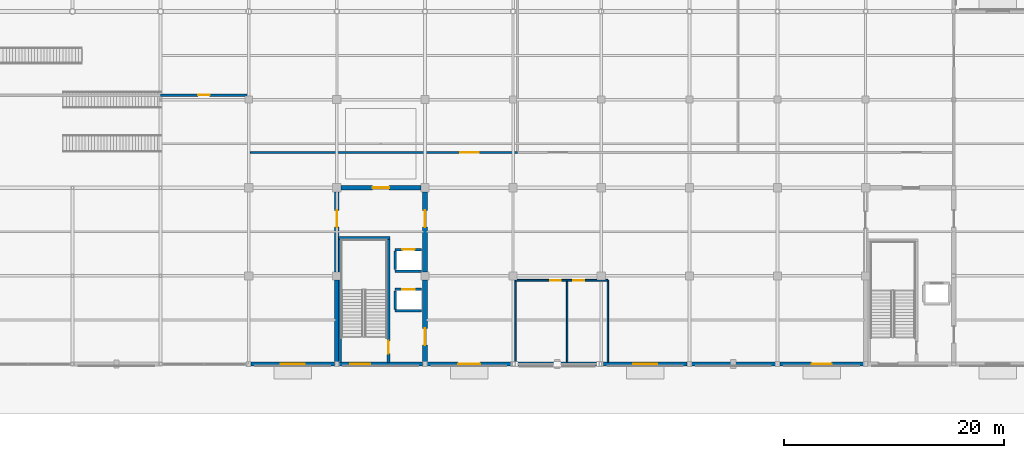
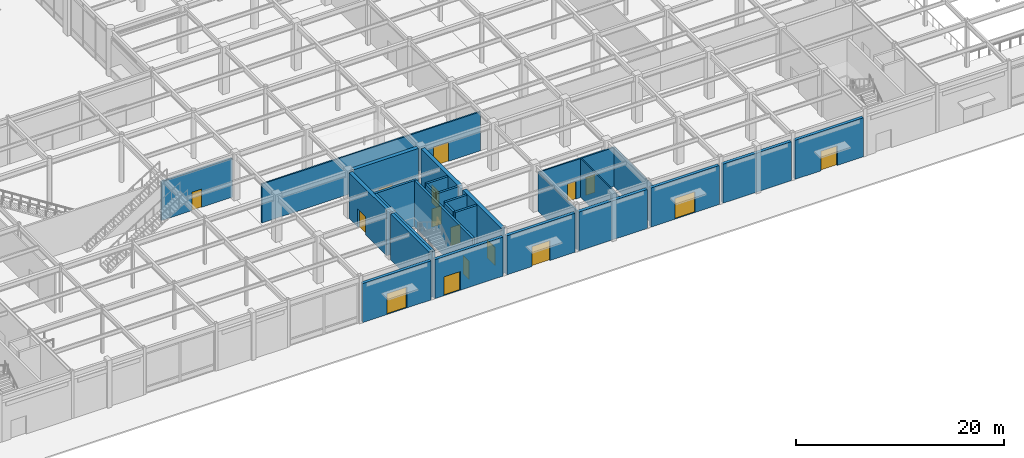
# One storey, part 102 of 128: 28 walls, 16 doors, 16 openings.
"""IFC4 building model written with IfcOpenShell, lengths in metres."""

import ifcopenshell
import ifcopenshell.guid

model = None  # the IFC model being written
_history = None  # IfcOwnerHistory: only IFC2X3 demands one
_inside = {}  # id of a spatial element -> (the spatial element, [elements in it])
_under = {}  # id of a project, library or spatial element -> (it, [spatial elements below it])
_declared = {}  # id of a project -> (the project, [libraries it declares])
_typed = {}  # id of a type object -> (the type object, [elements of that type])
_made_of = {}  # id of a material, layer set ... -> (it, [elements and type objects made of it])


def new_model(schema):
    """Start an empty IFC model of exactly this schema.

    Asked for "IFC4X3", IfcOpenShell would pick the latest addendum, in which some entities
    have other attributes; the version numbers below select the first issue.
    IFC2X3 requires an IfcOwnerHistory on every rooted entity: one is made here for all.
    """
    global model, _history
    if schema == "IFC4X3":
        model = ifcopenshell.file(schema_version=(4, 3, 0, 0))
    else:
        model = ifcopenshell.file(schema=schema)
    _inside.clear()
    _under.clear()
    _declared.clear()
    _typed.clear()
    _made_of.clear()
    _history = None
    if model.schema == "IFC2X3":
        org = make("IfcOrganization", Name="unknown")
        user = make(
            "IfcPersonAndOrganization",
            ThePerson=make("IfcPerson", FamilyName="unknown"),
            TheOrganization=org,
        )
        app = make(
            "IfcApplication",
            ApplicationDeveloper=org,
            Version="unknown",
            ApplicationFullName="unknown",
            ApplicationIdentifier="unknown",
        )
        _history = make(
            "IfcOwnerHistory",
            OwningUser=user,
            OwningApplication=app,
            ChangeAction="ADDED",
            CreationDate=0,
        )
    return model


def make(cls, **values):
    """One entity of the class cls with the attributes given. An attribute that is None is left unset."""
    return model.create_entity(
        cls, **{name: value for name, value in values.items() if value is not None}
    )


def rooted(cls, **values):
    """An entity with a GlobalId (a new one), such as an element, a storey or a relation."""
    return make(cls, GlobalId=ifcopenshell.guid.new(), OwnerHistory=_history, **values)


def si_unit(unit_type, name, prefix=None):
    """IfcSIUnit, for example si_unit("LENGTHUNIT", "METRE", prefix="MILLI")."""
    return make("IfcSIUnit", UnitType=unit_type, Prefix=prefix, Name=name)


def assignment(units):
    """IfcUnitAssignment: the units of a project."""
    return None if units is None else make("IfcUnitAssignment", Units=units)


def point(xyz):
    """IfcCartesianPoint."""
    return None if xyz is None else make("IfcCartesianPoint", Coordinates=xyz)


def direction(xyz):
    """IfcDirection."""
    return None if xyz is None else make("IfcDirection", DirectionRatios=xyz)


def frame(location, z_axis=None, x_axis=None):
    """IfcAxis2Placement3D, a coordinate frame: its origin and axes. An axis left out is left unset."""
    return make(
        "IfcAxis2Placement3D",
        Location=point(location),
        Axis=direction(z_axis),
        RefDirection=direction(x_axis),
    )


def frame_2d(location, x_axis=None):
    """IfcAxis2Placement2D, a coordinate frame in the plane: its origin and x axis."""
    return make(
        "IfcAxis2Placement2D", Location=point(location), RefDirection=direction(x_axis)
    )


def origin():
    """The frame at (0, 0, 0) with its axes left unset."""
    return frame((0.0, 0.0, 0.0))


def place(relative_to, where):
    """IfcLocalPlacement: puts the frame where relative to a parent placement (None: the world)."""
    return make(
        "IfcLocalPlacement", PlacementRelTo=relative_to, RelativePlacement=where
    )


def context(
    kind, dimensions, precision=None, world=None, true_north=None, identifier=None
):
    """IfcGeometricRepresentationContext, for example the 3D "Model" context."""
    return make(
        "IfcGeometricRepresentationContext",
        ContextIdentifier=identifier,
        ContextType=kind,
        CoordinateSpaceDimension=dimensions,
        Precision=precision,
        WorldCoordinateSystem=world,
        TrueNorth=true_north,
    )


def subcontext(parent, identifier, kind, view, scale=None):
    """IfcGeometricRepresentationSubContext, for example "Body" below "Model"."""
    return make(
        "IfcGeometricRepresentationSubContext",
        ContextIdentifier=identifier,
        ContextType=kind,
        ParentContext=parent,
        TargetScale=scale,
        TargetView=view,
    )


def project(units=None, contexts=None):
    """IfcProject with its units and contexts."""
    return rooted(
        "IfcProject",
        Name="project",
        RepresentationContexts=contexts,
        UnitsInContext=assignment(units),
    )


def spatial(cls, under=None, at=None, **own):
    """A site, building, storey or space (cls), placed at a placement, below another one or the project."""
    s = rooted(cls, ObjectPlacement=at, **own)
    if under is not None:
        _under.setdefault(under.id(), (under, []))[1].append(s)
    return s


def profile(cls, at=None, kind="AREA", **sizes):
    """A parametric profile (cls). Its sizes go by their IFC names, for example OverallWidth=200.0."""
    return make(cls, ProfileType=kind, Position=at, **sizes)


def rectangle(**sizes):
    """IfcRectangleProfileDef."""
    return profile("IfcRectangleProfileDef", **sizes)


def extrude(swept, where, along, depth):
    """IfcExtrudedAreaSolid: the profile swept, set in the frame where, extruded along a direction by depth."""
    return make(
        "IfcExtrudedAreaSolid",
        SweptArea=swept,
        Position=where,
        ExtrudedDirection=direction(along),
        Depth=depth,
    )


def shape(context_of_items, identifier, shape_type, items):
    """IfcShapeRepresentation: the items that make up one representation, for example the "Body"."""
    return make(
        "IfcShapeRepresentation",
        ContextOfItems=context_of_items,
        RepresentationIdentifier=identifier,
        RepresentationType=shape_type,
        Items=items,
    )


def material(Name=None, Category=None):
    """IfcMaterial."""
    return make("IfcMaterial", Name=Name, Category=Category)


def layer(
    of_material, thickness, ventilated=None, Name=None, Category=None, Priority=None
):
    """IfcMaterialLayer: one layer of a wall or slab, of a material (None: an air gap)."""
    return make(
        "IfcMaterialLayer",
        Material=of_material,
        LayerThickness=thickness,
        IsVentilated=ventilated,
        Name=Name,
        Category=Category,
        Priority=Priority,
    )


def layer_set(layers, Name=None):
    """IfcMaterialLayerSet."""
    return make("IfcMaterialLayerSet", MaterialLayers=layers, LayerSetName=Name)


def made_of(thing, what):
    """Note that an element or type object is made of a material, layer set ...; save() writes the relation."""
    if what is not None:
        _made_of.setdefault(what.id(), (what, []))[1].append(thing)
    return thing


def type_object(cls, material=None, **own):
    """A type object (cls), such as IfcWallType, which elements share."""
    return made_of(rooted(cls, **own), material)


def element(
    cls,
    number,
    at=None,
    inside=None,
    cuts=None,
    type_object=None,
    material=None,
    context=None,
    identifier="Body",
    shape_type=None,
    held_by="IfcProductDefinitionShape",
    body=None,
    shapes=None,
    **own,
):
    """One element of the class cls, such as IfcWall. Its Tag is "e" and its number.

    at: its placement. inside: the storey or other place that contains it. cuts: it is an
    opening in that element (IfcRelVoidsElement). A single representation is given by context,
    identifier, shape_type and body (its items); several are given by shapes. held_by: the class
    of the entity that holds the representations. save() writes the other relations.
    """
    e = rooted(cls, Tag="e%d" % number, ObjectPlacement=at, **own)
    if body is not None:
        shapes = [shape(context, identifier, shape_type, body)]
    if shapes is not None:
        e.Representation = make(held_by, Representations=shapes)
    if inside is not None:
        _inside.setdefault(inside.id(), (inside, []))[1].append(e)
    if cuts is not None:
        rooted(
            "IfcRelVoidsElement", RelatingBuildingElement=cuts, RelatedOpeningElement=e
        )
    if type_object is not None:
        _typed.setdefault(type_object.id(), (type_object, []))[1].append(e)
    return made_of(e, material)


def fill(opening, filler):
    """IfcRelFillsElement: the door or window that sits in an opening."""
    return rooted(
        "IfcRelFillsElement",
        RelatingOpeningElement=opening,
        RelatedBuildingElement=filler,
    )


def aggregate(whole, parts):
    """IfcRelAggregates: a whole, such as a stair, and the parts it consists of."""
    return rooted("IfcRelAggregates", RelatingObject=whole, RelatedObjects=parts)


def save(model, path):
    """Write the relations noted so far, then the file.

    IfcRelAggregates (storeys below a building ...), IfcRelContainedInSpatialStructure (elements
    in a storey), IfcRelDefinesByType, IfcRelAssociatesMaterial and IfcRelDeclares: one each for
    every whole, place, type object, material and project.
    """
    for whole, parts in _under.values():
        aggregate(whole, parts)
    for where, things in _inside.values():
        rooted(
            "IfcRelContainedInSpatialStructure",
            RelatedElements=things,
            RelatingStructure=where,
        )
    for kind, things in _typed.values():
        rooted("IfcRelDefinesByType", RelatedObjects=things, RelatingType=kind)
    for what, things in _made_of.values():
        rooted("IfcRelAssociatesMaterial", RelatedObjects=things, RelatingMaterial=what)
    for by, libraries in _declared.values():
        rooted("IfcRelDeclares", RelatingContext=by, RelatedDefinitions=libraries)
    model.write(path)


model = new_model("IFC4")

# Units and contexts
model_context = context("Model", 3, precision=1e-05, world=origin(), true_north=direction((0.0, 1.0)))
body_context = subcontext(model_context, "Body", "Model", "MODEL_VIEW")
ifc_project = project(units=[si_unit("LENGTHUNIT", "METRE"), si_unit("AREAUNIT", "SQUARE_METRE"), si_unit("VOLUMEUNIT", "CUBIC_METRE"), si_unit("PLANEANGLEUNIT", "RADIAN"), si_unit("MASSUNIT", "GRAM", prefix="KILO")], contexts=[model_context])

# Site, building, storey
site_placement = place(None, origin())
site = spatial("IfcSite", under=ifc_project, at=site_placement, CompositionType="ELEMENT")
building_placement = place(site_placement, origin())
building = spatial("IfcBuilding", under=site, at=building_placement, Name="Solmirada Galleria", CompositionType="ELEMENT")
storey_placement = place(building_placement, origin())
storey = spatial("IfcBuildingStorey", under=building, at=storey_placement, Name="L00", CompositionType="ELEMENT", Elevation=0.0)

# Wall, opening, door
ifc_material_1 = material(Name="Concrete C40/50", Category="concrete")
ifc_layer_1 = layer(ifc_material_1, 0.419921875)
ifc_layer_set_1 = layer_set([ifc_layer_1], Name="Concrete C40/50")
wall_type_1 = type_object("IfcWallType", Name="WL-CORE-420", PredefinedType="SHEAR", material=ifc_layer_set_1)
wall_1_placement = place(storey_placement, frame((88.375, 16.0, 0.0), z_axis=(0.0, 0.0, 1.0), x_axis=(1.0, 0.0, 0.0)))
wall_1 = element("IfcWall", 1, at=wall_1_placement, inside=storey, type_object=wall_type_1, Name="Core C2 shear wall L00 N1", PredefinedType="SHEAR", context=body_context, shape_type="SweptSolid", body=[
    extrude(rectangle(XDim=7.25, YDim=0.419921875, at=frame_2d((3.625, 0.0))), origin(), (0.0, 0.0, 1.0), 5.3798828125),
])
opening_1_placement = place(wall_1_placement, frame((2.875, 0.0, 0.0)))
opening_1 = element("IfcOpeningElement", 2, at=opening_1_placement, cuts=wall_1, Name="Opening LDY-135", PredefinedType="OPENING", context=body_context, shape_type="SweptSolid", body=[
    extrude(rectangle(XDim=1.5, YDim=2.14990234375, at=frame_2d((0.75, 1.074951171875))), frame((0.0, 0.219970703125, 0.0), z_axis=(0.0, -1.0, 0.0), x_axis=(1.0, 0.0, 0.0)), (0.0, 0.0, 1.0), 0.43994140625),
])
ifc_material_2 = material(Name="Fire-rated painted steel door assembly", Category="steel")
door_type_1 = type_object("IfcDoorType", Name="DR-LOBBY-150X215", OperationType="DOUBLE_DOOR_SINGLE_SWING", PredefinedType="DOOR", material=ifc_material_2)
door_1_placement = place(opening_1_placement, origin())
door_1 = element("IfcDoor", 3, at=door_1_placement, inside=storey, type_object=door_type_1, Name="Core C2 lobby access fire door LDY-135", OperationType="DOUBLE_DOOR_SINGLE_SWING", OverallHeight=2.14990234375, OverallWidth=1.5, PredefinedType="DOOR", context=body_context, shape_type="SweptSolid", body=[
    extrude(rectangle(XDim=1.5, YDim=2.14990234375, at=frame_2d((0.75, 1.074951171875))), frame((0.0, 0.02490234375, 0.0), z_axis=(0.0, -1.0, 0.0), x_axis=(1.0, 0.0, 0.0)), (0.0, 0.0, 1.0), 0.050048828125),
])
fill(opening_1, door_1)

# Wall
wall_2_placement = place(storey_placement, frame((88.0, 0.202880859375, 0.0), z_axis=(0.0, 0.0, 1.0), x_axis=(0.0, 1.0, 0.0)))
element("IfcWall", 4, at=wall_2_placement, inside=storey, type_object=wall_type_1, Name="Core C2 shear wall L00 W1", PredefinedType="SHEAR", context=body_context, shape_type="SweptSolid", body=[
    extrude(rectangle(XDim=7.422119140625, YDim=0.419921875, at=frame_2d((3.7109375, 0.0))), origin(), (0.0, 0.0, 1.0), 5.3798828125),
])

# Wall, opening, door
wall_3_placement = place(storey_placement, frame((88.0, 8.375, 0.0), z_axis=(0.0, 0.0, 1.0), x_axis=(0.0, 1.0, 0.0)))
wall_3 = element("IfcWall", 5, at=wall_3_placement, inside=storey, type_object=wall_type_1, Name="Core C2 shear wall L00 W2", PredefinedType="SHEAR", context=body_context, shape_type="SweptSolid", body=[
    extrude(rectangle(XDim=7.25, YDim=0.419921875, at=frame_2d((3.625, 0.0))), origin(), (0.0, 0.0, 1.0), 5.3798828125),
])
opening_2_placement = place(wall_3_placement, frame((4.06201171875, 0.0, 0.0)))
opening_2 = element("IfcOpeningElement", 6, at=opening_2_placement, cuts=wall_3, Name="Opening LDY-136", PredefinedType="OPENING", context=body_context, shape_type="SweptSolid", body=[
    extrude(rectangle(XDim=1.5, YDim=2.14990234375, at=frame_2d((0.75, 1.074951171875))), frame((0.0, 0.219970703125, 0.0), z_axis=(0.0, -1.0, 0.0), x_axis=(1.0, 0.0, 0.0)), (0.0, 0.0, 1.0), 0.43994140625),
])
door_2_placement = place(opening_2_placement, origin())
door_2 = element("IfcDoor", 7, at=door_2_placement, inside=storey, type_object=door_type_1, Name="Core C2 lobby access fire door LDY-136", OperationType="DOUBLE_DOOR_SINGLE_SWING", OverallHeight=2.14990234375, OverallWidth=1.5, PredefinedType="DOOR", context=body_context, shape_type="SweptSolid", body=[
    extrude(rectangle(XDim=1.5, YDim=2.14990234375, at=frame_2d((0.75, 1.074951171875))), frame((0.0, 0.02490234375, 0.0), z_axis=(0.0, -1.0, 0.0), x_axis=(1.0, 0.0, 0.0)), (0.0, 0.0, 1.0), 0.050048828125),
])
fill(opening_2, door_2)

wall_4_placement = place(storey_placement, frame((96.0, 0.202880859375, 0.0), z_axis=(0.0, 0.0, 1.0), x_axis=(0.0, 1.0, 0.0)))
wall_4 = element("IfcWall", 8, at=wall_4_placement, inside=storey, type_object=wall_type_1, Name="Core C2 shear wall L00 E1", PredefinedType="SHEAR", context=body_context, shape_type="SweptSolid", body=[
    extrude(rectangle(XDim=7.422119140625, YDim=0.419921875, at=frame_2d((3.7109375, 0.0))), origin(), (0.0, 0.0, 1.0), 5.3798828125),
])
opening_3_placement = place(wall_4_placement, frame((1.52294921875, 0.0, 0.0)))
opening_3 = element("IfcOpeningElement", 9, at=opening_3_placement, cuts=wall_4, Name="Opening LDY-137", PredefinedType="OPENING", context=body_context, shape_type="SweptSolid", body=[
    extrude(rectangle(XDim=1.5, YDim=2.14990234375, at=frame_2d((0.75, 1.074951171875))), frame((0.0, 0.219970703125, 0.0), z_axis=(0.0, -1.0, 0.0), x_axis=(1.0, 0.0, 0.0)), (0.0, 0.0, 1.0), 0.43994140625),
])
door_3_placement = place(opening_3_placement, origin())
door_3 = element("IfcDoor", 10, at=door_3_placement, inside=storey, type_object=door_type_1, Name="Core C2 lobby access fire door LDY-137", OperationType="DOUBLE_DOOR_SINGLE_SWING", OverallHeight=2.14990234375, OverallWidth=1.5, PredefinedType="DOOR", context=body_context, shape_type="SweptSolid", body=[
    extrude(rectangle(XDim=1.5, YDim=2.14990234375, at=frame_2d((0.75, 1.074951171875))), frame((0.0, 0.02490234375, 0.0), z_axis=(0.0, -1.0, 0.0), x_axis=(1.0, 0.0, 0.0)), (0.0, 0.0, 1.0), 0.050048828125),
])
fill(opening_3, door_3)

wall_5_placement = place(storey_placement, frame((96.0, 8.375, 0.0), z_axis=(0.0, 0.0, 1.0), x_axis=(0.0, 1.0, 0.0)))
wall_5 = element("IfcWall", 11, at=wall_5_placement, inside=storey, type_object=wall_type_1, Name="Core C2 shear wall L00 E2", PredefinedType="SHEAR", context=body_context, shape_type="SweptSolid", body=[
    extrude(rectangle(XDim=7.25, YDim=0.419921875, at=frame_2d((3.625, 0.0))), origin(), (0.0, 0.0, 1.0), 5.3798828125),
])
opening_4_placement = place(wall_5_placement, frame((4.06201171875, 0.0, 0.0)))
opening_4 = element("IfcOpeningElement", 12, at=opening_4_placement, cuts=wall_5, Name="Opening LDY-138", PredefinedType="OPENING", context=body_context, shape_type="SweptSolid", body=[
    extrude(rectangle(XDim=1.5, YDim=2.14990234375, at=frame_2d((0.75, 1.074951171875))), frame((0.0, 0.219970703125, 0.0), z_axis=(0.0, -1.0, 0.0), x_axis=(1.0, 0.0, 0.0)), (0.0, 0.0, 1.0), 0.43994140625),
])
door_4_placement = place(opening_4_placement, origin())
door_4 = element("IfcDoor", 13, at=door_4_placement, inside=storey, type_object=door_type_1, Name="Core C2 lobby access fire door LDY-138", OperationType="DOUBLE_DOOR_SINGLE_SWING", OverallHeight=2.14990234375, OverallWidth=1.5, PredefinedType="DOOR", context=body_context, shape_type="SweptSolid", body=[
    extrude(rectangle(XDim=1.5, YDim=2.14990234375, at=frame_2d((0.75, 1.074951171875))), frame((0.0, 0.02490234375, 0.0), z_axis=(0.0, -1.0, 0.0), x_axis=(1.0, 0.0, 0.0)), (0.0, 0.0, 1.0), 0.050048828125),
])
fill(opening_4, door_4)

ifc_material_3 = material(Name="Precast concrete C40/50", Category="concrete")
ifc_layer_2 = layer(ifc_material_3, 0.340087890625)
ifc_layer_set_2 = layer_set([ifc_layer_2], Name="Precast concrete C40/50")
wall_type_2 = type_object("IfcWallType", Name="WL-EXT-340", PredefinedType="STANDARD", material=ifc_layer_set_2)
wall_6_placement = place(storey_placement, frame((135.797119140625, 0.0, 0.0), z_axis=(0.0, 0.0, 1.0), x_axis=(-1.0, 0.0, 0.0)))
wall_6 = element("IfcWall", 14, at=wall_6_placement, inside=storey, type_object=wall_type_2, Name="Exterior wall L00 bay 069", PredefinedType="STANDARD", context=body_context, shape_type="SweptSolid", body=[
    extrude(rectangle(XDim=7.59423828125, YDim=0.340087890625, at=frame_2d((3.797119140625, 0.0))), origin(), (0.0, 0.0, 1.0), 4.580078125),
])
opening_5_placement = place(wall_6_placement, frame((2.89697265625, 0.0, 0.0)))
opening_5 = element("IfcOpeningElement", 15, at=opening_5_placement, cuts=wall_6, Name="Opening ED-035", PredefinedType="OPENING", context=body_context, shape_type="SweptSolid", body=[
    extrude(rectangle(XDim=1.800048828125, YDim=2.300048828125, at=frame_2d((0.89990234375, 1.14990234375))), frame((0.0, 0.179931640625, 0.0), z_axis=(0.0, -1.0, 0.0), x_axis=(1.0, 0.0, 0.0)), (0.0, 0.0, 1.0), 0.360107421875),
])
ifc_material_4 = material(Name="Thermally broken aluminium and laminated glass door", Category="aluminium")
door_type_2 = type_object("IfcDoorType", Name="DR-ENT-180X230", OperationType="DOUBLE_DOOR_SINGLE_SWING", PredefinedType="DOOR", material=ifc_material_4)
door_5_placement = place(opening_5_placement, origin())
door_5 = element("IfcDoor", 16, at=door_5_placement, inside=storey, type_object=door_type_2, Name="Public avenue entrance door ED-035", OperationType="DOUBLE_DOOR_SINGLE_SWING", OverallHeight=2.300048828125, OverallWidth=1.800048828125, PredefinedType="DOOR", context=body_context, shape_type="SweptSolid", body=[
    extrude(rectangle(XDim=1.800048828125, YDim=2.300048828125, at=frame_2d((0.89990234375, 1.14990234375))), frame((0.0, 0.02490234375, 0.0), z_axis=(0.0, -1.0, 0.0), x_axis=(1.0, 0.0, 0.0)), (0.0, 0.0, 1.0), 0.050048828125),
])
fill(opening_5, door_5)

# Wall
wall_7_placement = place(storey_placement, frame((127.797119140625, 0.0, 0.0), z_axis=(0.0, 0.0, 1.0), x_axis=(-1.0, 0.0, 0.0)))
element("IfcWall", 17, at=wall_7_placement, inside=storey, type_object=wall_type_2, Name="Exterior wall L00 bay 070", PredefinedType="STANDARD", context=body_context, shape_type="SweptSolid", body=[
    extrude(rectangle(XDim=7.59423828125, YDim=0.340087890625, at=frame_2d((3.797119140625, 0.0))), origin(), (0.0, 0.0, 1.0), 4.580078125),
])

# Wall, opening, door
wall_8_placement = place(storey_placement, frame((119.797119140625, 0.0, 0.0), z_axis=(0.0, 0.0, 1.0), x_axis=(-1.0, 0.0, 0.0)))
wall_8 = element("IfcWall", 18, at=wall_8_placement, inside=storey, type_object=wall_type_2, Name="Exterior wall L00 bay 071", PredefinedType="STANDARD", context=body_context, shape_type="SweptSolid", body=[
    extrude(rectangle(XDim=7.59423828125, YDim=0.340087890625, at=frame_2d((3.797119140625, 0.0))), origin(), (0.0, 0.0, 1.0), 4.580078125),
])
opening_6_placement = place(wall_8_placement, frame((2.697021484375, 0.0, 0.0)))
opening_6 = element("IfcOpeningElement", 19, at=opening_6_placement, cuts=wall_8, Name="Opening ED-036", PredefinedType="OPENING", context=body_context, shape_type="SweptSolid", body=[
    extrude(rectangle(XDim=2.199951171875, YDim=2.449951171875, at=frame_2d((1.10009765625, 1.22509765625))), frame((0.0, 0.179931640625, 0.0), z_axis=(0.0, -1.0, 0.0), x_axis=(1.0, 0.0, 0.0)), (0.0, 0.0, 1.0), 0.360107421875),
])
door_type_3 = type_object("IfcDoorType", Name="DR-ENT-220X245", OperationType="DOUBLE_DOOR_SINGLE_SWING", PredefinedType="DOOR", material=ifc_material_4)
door_6_placement = place(opening_6_placement, origin())
door_6 = element("IfcDoor", 20, at=door_6_placement, inside=storey, type_object=door_type_3, Name="Public avenue entrance door ED-036", OperationType="DOUBLE_DOOR_SINGLE_SWING", OverallHeight=2.449951171875, OverallWidth=2.199951171875, PredefinedType="DOOR", context=body_context, shape_type="SweptSolid", body=[
    extrude(rectangle(XDim=2.199951171875, YDim=2.449951171875, at=frame_2d((1.10009765625, 1.22509765625))), frame((0.0, 0.02490234375, 0.0), z_axis=(0.0, -1.0, 0.0), x_axis=(1.0, 0.0, 0.0)), (0.0, 0.0, 1.0), 0.050048828125),
])
fill(opening_6, door_6)

wall_9_placement = place(storey_placement, frame((103.797119140625, 0.0, 0.0), z_axis=(0.0, 0.0, 1.0), x_axis=(-1.0, 0.0, 0.0)))
wall_9 = element("IfcWall", 21, at=wall_9_placement, inside=storey, type_object=wall_type_2, Name="Exterior wall L00 bay 073", PredefinedType="STANDARD", context=body_context, shape_type="SweptSolid", body=[
    extrude(rectangle(XDim=7.59423828125, YDim=0.340087890625, at=frame_2d((3.797119140625, 0.0))), origin(), (0.0, 0.0, 1.0), 4.580078125),
])
opening_7_placement = place(wall_9_placement, frame((2.797119140625, 0.0, 0.0)))
opening_7 = element("IfcOpeningElement", 22, at=opening_7_placement, cuts=wall_9, Name="Opening ED-037", PredefinedType="OPENING", context=body_context, shape_type="SweptSolid", body=[
    extrude(rectangle(XDim=2.0, YDim=2.35009765625, at=frame_2d((1.0, 1.175048828125))), frame((0.0, 0.179931640625, 0.0), z_axis=(0.0, -1.0, 0.0), x_axis=(1.0, 0.0, 0.0)), (0.0, 0.0, 1.0), 0.360107421875),
])
door_type_4 = type_object("IfcDoorType", Name="DR-ENT-200X235", OperationType="DOUBLE_DOOR_SINGLE_SWING", PredefinedType="DOOR", material=ifc_material_4)
door_7_placement = place(opening_7_placement, origin())
door_7 = element("IfcDoor", 23, at=door_7_placement, inside=storey, type_object=door_type_4, Name="Public avenue entrance door ED-037", OperationType="DOUBLE_DOOR_SINGLE_SWING", OverallHeight=2.35009765625, OverallWidth=2.0, PredefinedType="DOOR", context=body_context, shape_type="SweptSolid", body=[
    extrude(rectangle(XDim=2.0, YDim=2.35009765625, at=frame_2d((1.0, 1.175048828125))), frame((0.0, 0.02490234375, 0.0), z_axis=(0.0, -1.0, 0.0), x_axis=(1.0, 0.0, 0.0)), (0.0, 0.0, 1.0), 0.050048828125),
])
fill(opening_7, door_7)

wall_10_placement = place(storey_placement, frame((95.797119140625, 0.0, 0.0), z_axis=(0.0, 0.0, 1.0), x_axis=(-1.0, 0.0, 0.0)))
wall_10 = element("IfcWall", 24, at=wall_10_placement, inside=storey, type_object=wall_type_2, Name="Exterior wall L00 bay 074", PredefinedType="STANDARD", context=body_context, shape_type="SweptSolid", body=[
    extrude(rectangle(XDim=7.59423828125, YDim=0.340087890625, at=frame_2d((3.797119140625, 0.0))), origin(), (0.0, 0.0, 1.0), 4.580078125),
])
opening_8_placement = place(wall_10_placement, frame((4.743896484375, 0.0, 0.0)))
opening_8 = element("IfcOpeningElement", 25, at=opening_8_placement, cuts=wall_10, Name="Opening ED-038", PredefinedType="OPENING", context=body_context, shape_type="SweptSolid", body=[
    extrude(rectangle(XDim=1.85009765625, YDim=2.199951171875, at=frame_2d((0.925048828125, 1.10009765625))), frame((0.0, 0.179931640625, 0.0), z_axis=(0.0, -1.0, 0.0), x_axis=(1.0, 0.0, 0.0)), (0.0, 0.0, 1.0), 0.360107421875),
])
ifc_material_5 = material(Name="Painted galvanized steel door assembly", Category="steel")
door_type_5 = type_object("IfcDoorType", Name="DR-EXIT-185X220", OperationType="DOUBLE_DOOR_SINGLE_SWING", PredefinedType="DOOR", material=ifc_material_5)
door_8_placement = place(opening_8_placement, origin())
door_8 = element("IfcDoor", 26, at=door_8_placement, inside=storey, type_object=door_type_5, Name="Exit stair ST2 exterior discharge door ED-038", OperationType="DOUBLE_DOOR_SINGLE_SWING", OverallHeight=2.199951171875, OverallWidth=1.85009765625, PredefinedType="DOOR", context=body_context, shape_type="SweptSolid", body=[
    extrude(rectangle(XDim=1.85009765625, YDim=2.199951171875, at=frame_2d((0.925048828125, 1.10009765625))), frame((0.0, 0.02490234375, 0.0), z_axis=(0.0, -1.0, 0.0), x_axis=(1.0, 0.0, 0.0)), (0.0, 0.0, 1.0), 0.050048828125),
])
fill(opening_8, door_8)

wall_11_placement = place(storey_placement, frame((87.797119140625, 0.0, 0.0), z_axis=(0.0, 0.0, 1.0), x_axis=(-1.0, 0.0, 0.0)))
wall_11 = element("IfcWall", 27, at=wall_11_placement, inside=storey, type_object=wall_type_2, Name="Exterior wall L00 bay 075", PredefinedType="STANDARD", context=body_context, shape_type="SweptSolid", body=[
    extrude(rectangle(XDim=7.59423828125, YDim=0.340087890625, at=frame_2d((3.797119140625, 0.0))), origin(), (0.0, 0.0, 1.0), 4.580078125),
])
opening_9_placement = place(wall_11_placement, frame((2.697021484375, 0.0, 0.0)))
opening_9 = element("IfcOpeningElement", 28, at=opening_9_placement, cuts=wall_11, Name="Opening ED-039", PredefinedType="OPENING", context=body_context, shape_type="SweptSolid", body=[
    extrude(rectangle(XDim=2.199951171875, YDim=2.449951171875, at=frame_2d((1.10009765625, 1.22509765625))), frame((0.0, 0.179931640625, 0.0), z_axis=(0.0, -1.0, 0.0), x_axis=(1.0, 0.0, 0.0)), (0.0, 0.0, 1.0), 0.360107421875),
])
door_9_placement = place(opening_9_placement, origin())
door_9 = element("IfcDoor", 29, at=door_9_placement, inside=storey, type_object=door_type_3, Name="Public avenue entrance door ED-039", OperationType="DOUBLE_DOOR_SINGLE_SWING", OverallHeight=2.449951171875, OverallWidth=2.199951171875, PredefinedType="DOOR", context=body_context, shape_type="SweptSolid", body=[
    extrude(rectangle(XDim=2.199951171875, YDim=2.449951171875, at=frame_2d((1.10009765625, 1.22509765625))), frame((0.0, 0.02490234375, 0.0), z_axis=(0.0, -1.0, 0.0), x_axis=(1.0, 0.0, 0.0)), (0.0, 0.0, 1.0), 0.050048828125),
])
fill(opening_9, door_9)

ifc_layer_3 = layer(ifc_material_1, 0.239990234375)
ifc_layer_set_3 = layer_set([ifc_layer_3], Name="Concrete C40/50")
wall_type_3 = type_object("IfcWallType", Name="WL-HOIST-240", PredefinedType="PARTITIONING", material=ifc_layer_set_3)
wall_12_placement = place(storey_placement, frame((93.294921875, 6.780029296875, 0.0), z_axis=(0.0, 0.0, 1.0), x_axis=(1.0, 0.0, 0.0)))
wall_12 = element("IfcWall", 30, at=wall_12_placement, inside=storey, type_object=wall_type_3, Name="Lift LP3 hoistway front wall L00", PredefinedType="PARTITIONING", context=body_context, shape_type="SweptSolid", body=[
    extrude(rectangle(XDim=2.41015625, YDim=0.239990234375, at=frame_2d((1.205078125, 0.0))), origin(), (0.0, 0.0, 1.0), 5.3798828125),
])
opening_10_placement = place(wall_12_placement, frame((0.655029296875, 0.0, 0.0)))
opening_10 = element("IfcOpeningElement", 31, at=opening_10_placement, cuts=wall_12, Name="Opening LD-LP3-L00", PredefinedType="OPENING", context=body_context, shape_type="SweptSolid", body=[
    extrude(rectangle(XDim=1.10009765625, YDim=2.14990234375, at=frame_2d((0.550048828125, 1.074951171875))), frame((0.0, 0.1298828125, 0.0), z_axis=(0.0, -1.0, 0.0), x_axis=(1.0, 0.0, 0.0)), (0.0, 0.0, 1.0), 0.260009765625),
])
ifc_material_6 = material(Name="Brushed stainless-steel sliding landing door", Category="steel")
door_type_6 = type_object("IfcDoorType", Name="DR-LIFT-110X215", OperationType="SLIDING_TO_LEFT", PredefinedType="DOOR", material=ifc_material_6)
door_10_placement = place(opening_10_placement, origin())
door_10 = element("IfcDoor", 32, at=door_10_placement, inside=storey, type_object=door_type_6, Name="Lift LP3 sliding landing door L00", OperationType="SLIDING_TO_LEFT", OverallHeight=2.14990234375, OverallWidth=1.10009765625, PredefinedType="DOOR", context=body_context, shape_type="SweptSolid", body=[
    extrude(rectangle(XDim=1.10009765625, YDim=2.14990234375, at=frame_2d((0.550048828125, 1.074951171875))), frame((0.0, 0.02490234375, 0.0), z_axis=(0.0, -1.0, 0.0), x_axis=(1.0, 0.0, 0.0)), (0.0, 0.0, 1.0), 0.050048828125),
])
fill(opening_10, door_10)

# Walls
wall_13_placement = place(storey_placement, frame((93.294921875, 4.820068359375, 0.0), z_axis=(0.0, 0.0, 1.0), x_axis=(1.0, 0.0, 0.0)))
element("IfcWall", 33, at=wall_13_placement, inside=storey, type_object=wall_type_3, Name="Lift LP3 hoistway rear wall L00", PredefinedType="PARTITIONING", context=body_context, shape_type="SweptSolid", body=[
    extrude(rectangle(XDim=2.41015625, YDim=0.239990234375, at=frame_2d((1.205078125, 0.0))), origin(), (0.0, 0.0, 1.0), 5.3798828125),
])
wall_14_placement = place(storey_placement, frame((93.294921875, 4.9599609375, 0.0), z_axis=(0.0, 0.0, 1.0), x_axis=(0.0, 1.0, 0.0)))
element("IfcWall", 34, at=wall_14_placement, inside=storey, type_object=wall_type_3, Name="Lift LP3 hoistway side wall L L00", PredefinedType="PARTITIONING", context=body_context, shape_type="SweptSolid", body=[
    extrude(rectangle(XDim=1.679931640625, YDim=0.239990234375, at=frame_2d((0.83984375, 0.0))), origin(), (0.0, 0.0, 1.0), 5.3798828125),
])

# Wall, opening, door
wall_15_placement = place(storey_placement, frame((93.294921875, 10.3798828125, 0.0), z_axis=(0.0, 0.0, 1.0), x_axis=(1.0, 0.0, 0.0)))
wall_15 = element("IfcWall", 35, at=wall_15_placement, inside=storey, type_object=wall_type_3, Name="Lift LP4 hoistway front wall L00", PredefinedType="PARTITIONING", context=body_context, shape_type="SweptSolid", body=[
    extrude(rectangle(XDim=2.41015625, YDim=0.239990234375, at=frame_2d((1.205078125, 0.0))), origin(), (0.0, 0.0, 1.0), 5.3798828125),
])
opening_11_placement = place(wall_15_placement, frame((0.655029296875, 0.0, 0.0)))
opening_11 = element("IfcOpeningElement", 36, at=opening_11_placement, cuts=wall_15, Name="Opening LD-LP4-L00", PredefinedType="OPENING", context=body_context, shape_type="SweptSolid", body=[
    extrude(rectangle(XDim=1.10009765625, YDim=2.14990234375, at=frame_2d((0.550048828125, 1.074951171875))), frame((0.0, 0.1298828125, 0.0), z_axis=(0.0, -1.0, 0.0), x_axis=(1.0, 0.0, 0.0)), (0.0, 0.0, 1.0), 0.260009765625),
])
door_11_placement = place(opening_11_placement, origin())
door_11 = element("IfcDoor", 37, at=door_11_placement, inside=storey, type_object=door_type_6, Name="Lift LP4 sliding landing door L00", OperationType="SLIDING_TO_LEFT", OverallHeight=2.14990234375, OverallWidth=1.10009765625, PredefinedType="DOOR", context=body_context, shape_type="SweptSolid", body=[
    extrude(rectangle(XDim=1.10009765625, YDim=2.14990234375, at=frame_2d((0.550048828125, 1.074951171875))), frame((0.0, 0.02490234375, 0.0), z_axis=(0.0, -1.0, 0.0), x_axis=(1.0, 0.0, 0.0)), (0.0, 0.0, 1.0), 0.050048828125),
])
fill(opening_11, door_11)

# Walls
wall_16_placement = place(storey_placement, frame((93.294921875, 8.419921875, 0.0), z_axis=(0.0, 0.0, 1.0), x_axis=(1.0, 0.0, 0.0)))
element("IfcWall", 38, at=wall_16_placement, inside=storey, type_object=wall_type_3, Name="Lift LP4 hoistway rear wall L00", PredefinedType="PARTITIONING", context=body_context, shape_type="SweptSolid", body=[
    extrude(rectangle(XDim=2.41015625, YDim=0.239990234375, at=frame_2d((1.205078125, 0.0))), origin(), (0.0, 0.0, 1.0), 5.3798828125),
])
wall_17_placement = place(storey_placement, frame((93.294921875, 8.56005859375, 0.0), z_axis=(0.0, 0.0, 1.0), x_axis=(0.0, 1.0, 0.0)))
element("IfcWall", 39, at=wall_17_placement, inside=storey, type_object=wall_type_3, Name="Lift LP4 hoistway side wall L L00", PredefinedType="PARTITIONING", context=body_context, shape_type="SweptSolid", body=[
    extrude(rectangle(XDim=1.679931640625, YDim=0.239990234375, at=frame_2d((0.83984375, 0.0))), origin(), (0.0, 0.0, 1.0), 5.3798828125),
])
ifc_material_7 = material(Name="Acoustic gypsum board partition")
ifc_layer_4 = layer(ifc_material_7, 0.135009765625)
ifc_layer_set_4 = layer_set([ifc_layer_4], Name="Acoustic gypsum board partition")
wall_type_4 = type_object("IfcWallType", Name="WL-PART-135", PredefinedType="PARTITIONING", material=ifc_layer_set_4)
for number, where, z_axis, x_axis, name in (
    (40, (104.199951171875, 0.14990234375, 0.0), (0.0, 0.0, 1.0), (0.0, 1.0, 0.0), "Partition L00-022 (South WC West)"),
    (41, (108.89990234375, 0.14990234375, 0.0), (0.0, 0.0, 1.0), (0.0, 1.0, 0.0), "Partition L00-023 (South WC Divider)"),
    (42, (112.60009765625, 0.14990234375, 0.0), (0.0, 0.0, 1.0), (0.0, 1.0, 0.0), "Partition L00-024 (South WC East)"),
):
    element("IfcWall", number, at=place(storey_placement, frame(where, z_axis=z_axis, x_axis=x_axis)), inside=storey, type_object=wall_type_4, Name=name, PredefinedType="PARTITIONING", context=body_context, shape_type="SweptSolid", body=[
        extrude(rectangle(XDim=7.4501953125, YDim=0.135009765625, at=frame_2d((3.72509765625, 0.0))), origin(), (0.0, 0.0, 1.0), 4.580078125),
    ])

# Wall, opening, door
ifc_layer_5 = layer(ifc_material_7, 0.159912109375)
ifc_layer_set_5 = layer_set([ifc_layer_5], Name="Acoustic gypsum board partition")
wall_type_5 = type_object("IfcWallType", Name="WL-PART-160", PredefinedType="PARTITIONING", material=ifc_layer_set_5)
wall_18_placement = place(storey_placement, frame((104.199951171875, 7.60009765625, 0.0), z_axis=(0.0, 0.0, 1.0), x_axis=(1.0, 0.0, 0.0)))
wall_18 = element("IfcWall", 43, at=wall_18_placement, inside=storey, type_object=wall_type_5, Name="Partition L00-020 (South Restroom)", PredefinedType="PARTITIONING", context=body_context, shape_type="SweptSolid", body=[
    extrude(rectangle(XDim=4.699951171875, YDim=0.159912109375, at=frame_2d((2.35009765625, 0.0))), origin(), (0.0, 0.0, 1.0), 4.580078125),
])
opening_12_placement = place(wall_18_placement, frame((3.193115234375, 0.0, 0.0)))
opening_12 = element("IfcOpeningElement", 44, at=opening_12_placement, cuts=wall_18, Name="Opening ID-271", PredefinedType="OPENING", context=body_context, shape_type="SweptSolid", body=[
    extrude(rectangle(XDim=0.919921875, YDim=2.10009765625, at=frame_2d((0.4599609375, 1.050048828125))), frame((0.0, 0.08984375, 0.0), z_axis=(0.0, -1.0, 0.0), x_axis=(1.0, 0.0, 0.0)), (0.0, 0.0, 1.0), 0.179931640625),
])
ifc_material_8 = material(Name="Architectural hardwood veneer door", Category="wood")
door_type_7 = type_object("IfcDoorType", Name="DR-WC-092X210", OperationType="NOTDEFINED", PredefinedType="DOOR", material=ifc_material_8)
door_12_placement = place(opening_12_placement, origin())
door_12 = element("IfcDoor", 45, at=door_12_placement, inside=storey, type_object=door_type_7, Name="South Restroom door ID-271", OperationType="SINGLE_SWING_RIGHT", OverallHeight=2.10009765625, OverallWidth=0.919921875, PredefinedType="DOOR", context=body_context, shape_type="SweptSolid", body=[
    extrude(rectangle(XDim=0.919921875, YDim=2.10009765625, at=frame_2d((0.4599609375, 1.050048828125))), frame((0.0, 0.02490234375, 0.0), z_axis=(0.0, -1.0, 0.0), x_axis=(1.0, 0.0, 0.0)), (0.0, 0.0, 1.0), 0.050048828125),
])
fill(opening_12, door_12)

wall_19_placement = place(storey_placement, frame((108.89990234375, 7.60009765625, 0.0), z_axis=(0.0, 0.0, 1.0), x_axis=(1.0, 0.0, 0.0)))
wall_19 = element("IfcWall", 46, at=wall_19_placement, inside=storey, type_object=wall_type_5, Name="Partition L00-021 (South Accessible WC)", PredefinedType="PARTITIONING", context=body_context, shape_type="SweptSolid", body=[
    extrude(rectangle(XDim=3.7001953125, YDim=0.159912109375, at=frame_2d((1.85009765625, 0.0))), origin(), (0.0, 0.0, 1.0), 4.580078125),
])
opening_13_placement = place(wall_19_placement, frame((0.548095703125, 0.0, 0.0)))
opening_13 = element("IfcOpeningElement", 47, at=opening_13_placement, cuts=wall_19, Name="Opening ID-272", PredefinedType="OPENING", context=body_context, shape_type="SweptSolid", body=[
    extrude(rectangle(XDim=1.02001953125, YDim=2.10009765625, at=frame_2d((0.510009765625, 1.050048828125))), frame((0.0, 0.08984375, 0.0), z_axis=(0.0, -1.0, 0.0), x_axis=(1.0, 0.0, 0.0)), (0.0, 0.0, 1.0), 0.179931640625),
])
door_type_8 = type_object("IfcDoorType", Name="DR-AWC-102X210", OperationType="NOTDEFINED", PredefinedType="DOOR", material=ifc_material_8)
door_13_placement = place(opening_13_placement, origin())
door_13 = element("IfcDoor", 48, at=door_13_placement, inside=storey, type_object=door_type_8, Name="South Accessible WC door ID-272", OperationType="SINGLE_SWING_LEFT", OverallHeight=2.10009765625, OverallWidth=1.02001953125, PredefinedType="DOOR", context=body_context, shape_type="SweptSolid", body=[
    extrude(rectangle(XDim=1.02001953125, YDim=2.10009765625, at=frame_2d((0.510009765625, 1.050048828125))), frame((0.0, 0.02490234375, 0.0), z_axis=(0.0, -1.0, 0.0), x_axis=(1.0, 0.0, 0.0)), (0.0, 0.0, 1.0), 0.050048828125),
])
fill(opening_13, door_13)

wall_20_placement = place(storey_placement, frame((80.14990234375, 19.199951171875, 0.0), z_axis=(0.0, 0.0, 1.0), x_axis=(1.0, 0.0, 0.0)))
wall_20 = element("IfcWall", 49, at=wall_20_placement, inside=storey, type_object=wall_type_5, Name="Partition L00-025 (South Gallery W L00)", PredefinedType="PARTITIONING", context=body_context, shape_type="SweptSolid", body=[
    extrude(rectangle(XDim=24.25, YDim=0.159912109375, at=frame_2d((12.125, 0.0))), origin(), (0.0, 0.0, 1.0), 4.580078125),
])
opening_14_placement = place(wall_20_placement, frame((19.032958984375, 0.0, 0.0)))
opening_14 = element("IfcOpeningElement", 50, at=opening_14_placement, cuts=wall_20, Name="Opening ID-273", PredefinedType="OPENING", context=body_context, shape_type="SweptSolid", body=[
    extrude(rectangle(XDim=1.699951171875, YDim=2.25, at=frame_2d((0.85009765625, 1.125))), frame((0.0, 0.08984375, 0.0), z_axis=(0.0, -1.0, 0.0), x_axis=(1.0, 0.0, 0.0)), (0.0, 0.0, 1.0), 0.179931640625),
])
door_type_9 = type_object("IfcDoorType", Name="DR-DEPT-170X225", OperationType="DOUBLE_DOOR_SINGLE_SWING", PredefinedType="DOOR", material=ifc_material_8)
door_14_placement = place(opening_14_placement, origin())
door_14 = element("IfcDoor", 51, at=door_14_placement, inside=storey, type_object=door_type_9, Name="South Gallery W L00 door ID-273", OperationType="DOUBLE_DOOR_SINGLE_SWING", OverallHeight=2.25, OverallWidth=1.699951171875, PredefinedType="DOOR", context=body_context, shape_type="SweptSolid", body=[
    extrude(rectangle(XDim=1.699951171875, YDim=2.25, at=frame_2d((0.85009765625, 1.125))), frame((0.0, 0.02490234375, 0.0), z_axis=(0.0, -1.0, 0.0), x_axis=(1.0, 0.0, 0.0)), (0.0, 0.0, 1.0), 0.050048828125),
])
fill(opening_14, door_14)

ifc_material_9 = material(Name="Fire-rated gypsum and steel-stud partition", Category="steel")
ifc_layer_6 = layer(ifc_material_9, 0.18994140625)
ifc_layer_set_6 = layer_set([ifc_layer_6], Name="Fire-rated gypsum and steel-stud partition")
wall_type_6 = type_object("IfcWallType", Name="WL-PART-190", PredefinedType="PARTITIONING", material=ifc_layer_set_6)
wall_21_placement = place(storey_placement, frame((72.0, 24.39990234375, 0.0), z_axis=(0.0, 0.0, 1.0), x_axis=(1.0, 0.0, 0.0)))
wall_21 = element("IfcWall", 52, at=wall_21_placement, inside=storey, type_object=wall_type_6, Name="Partition L00-031 (Food Hall Kitchen)", PredefinedType="PARTITIONING", context=body_context, shape_type="SweptSolid", body=[
    extrude(rectangle(XDim=7.85009765625, YDim=0.18994140625, at=frame_2d((3.925048828125, 0.0))), origin(), (0.0, 0.0, 1.0), 4.580078125),
])
opening_15_placement = place(wall_21_placement, frame((3.39990234375, 0.0, 0.0)))
opening_15 = element("IfcOpeningElement", 53, at=opening_15_placement, cuts=wall_21, Name="Opening ID-278", PredefinedType="OPENING", context=body_context, shape_type="SweptSolid", body=[
    extrude(rectangle(XDim=1.050048828125, YDim=2.14990234375, at=frame_2d((0.52490234375, 1.074951171875))), frame((0.0, 0.10498046875, 0.0), z_axis=(0.0, -1.0, 0.0), x_axis=(1.0, 0.0, 0.0)), (0.0, 0.0, 1.0), 0.2099609375),
])
door_type_10 = type_object("IfcDoorType", Name="DR-FIRE-105X215", OperationType="NOTDEFINED", PredefinedType="DOOR", material=ifc_material_2)
door_15_placement = place(opening_15_placement, origin())
door_15 = element("IfcDoor", 54, at=door_15_placement, inside=storey, type_object=door_type_10, Name="Food Hall Kitchen door ID-278", OperationType="SINGLE_SWING_RIGHT", OverallHeight=2.14990234375, OverallWidth=1.050048828125, PredefinedType="DOOR", context=body_context, shape_type="SweptSolid", body=[
    extrude(rectangle(XDim=1.050048828125, YDim=2.14990234375, at=frame_2d((0.52490234375, 1.074951171875))), frame((0.0, 0.02490234375, 0.0), z_axis=(0.0, -1.0, 0.0), x_axis=(1.0, 0.0, 0.0)), (0.0, 0.0, 1.0), 0.050048828125),
])
fill(opening_15, door_15)

# Walls
ifc_layer_7 = layer(ifc_material_1, 0.260009765625)
ifc_layer_set_7 = layer_set([ifc_layer_7], Name="Concrete C40/50")
wall_type_7 = type_object("IfcWallType", Name="WL-SHAFT-260", PredefinedType="SHEAR", material=ifc_layer_set_7)
wall_22_placement = place(storey_placement, frame((88.139892578125, 11.429931640625, 0.0), z_axis=(0.0, 0.0, 1.0), x_axis=(1.0, 0.0, 0.0)))
element("IfcWall", 55, at=wall_22_placement, inside=storey, type_object=wall_type_7, Name="Stair ST2 enclosure wall L00 N", PredefinedType="SHEAR", context=body_context, shape_type="SweptSolid", body=[
    extrude(rectangle(XDim=4.670166015625, YDim=0.260009765625, at=frame_2d((2.3349609375, 0.0))), origin(), (0.0, 0.0, 1.0), 5.3798828125),
])
wall_23_placement = place(storey_placement, frame((88.27001953125, 0.14501953125, 0.0), z_axis=(0.0, 0.0, 1.0), x_axis=(0.0, 1.0, 0.0)))
element("IfcWall", 56, at=wall_23_placement, inside=storey, type_object=wall_type_7, Name="Stair ST2 enclosure wall L00 W", PredefinedType="SHEAR", context=body_context, shape_type="SweptSolid", body=[
    extrude(rectangle(XDim=11.155029296875, YDim=0.260009765625, at=frame_2d((5.57763671875, 0.0))), origin(), (0.0, 0.0, 1.0), 5.3798828125),
])

# Wall, opening, door
wall_24_placement = place(storey_placement, frame((92.679931640625, 0.14501953125, 0.0), z_axis=(0.0, 0.0, 1.0), x_axis=(0.0, 1.0, 0.0)))
wall_24 = element("IfcWall", 57, at=wall_24_placement, inside=storey, type_object=wall_type_7, Name="Stair ST2 enclosure wall L00 E", PredefinedType="SHEAR", context=body_context, shape_type="SweptSolid", body=[
    extrude(rectangle(XDim=11.155029296875, YDim=0.260009765625, at=frame_2d((5.57763671875, 0.0))), origin(), (0.0, 0.0, 1.0), 5.3798828125),
])
opening_16_placement = place(wall_24_placement, frame((0.804931640625, 0.0, 0.0)))
opening_16 = element("IfcOpeningElement", 58, at=opening_16_placement, cuts=wall_24, Name="Opening SD-134", PredefinedType="OPENING", context=body_context, shape_type="SweptSolid", body=[
    extrude(rectangle(XDim=1.14990234375, YDim=2.14990234375, at=frame_2d((0.574951171875, 1.074951171875))), frame((0.0, 0.139892578125, 0.0), z_axis=(0.0, -1.0, 0.0), x_axis=(1.0, 0.0, 0.0)), (0.0, 0.0, 1.0), 0.280029296875),
])
door_type_11 = type_object("IfcDoorType", Name="DR-STAIR-115X215", OperationType="NOTDEFINED", PredefinedType="DOOR", material=ifc_material_2)
door_16_placement = place(opening_16_placement, origin())
door_16 = element("IfcDoor", 59, at=door_16_placement, inside=storey, type_object=door_type_11, Name="Exit stair ST2 enclosure fire door SD-134", OperationType="SINGLE_SWING_RIGHT", OverallHeight=2.14990234375, OverallWidth=1.14990234375, PredefinedType="DOOR", context=body_context, shape_type="SweptSolid", body=[
    extrude(rectangle(XDim=1.14990234375, YDim=2.14990234375, at=frame_2d((0.574951171875, 1.074951171875))), frame((0.0, 0.02490234375, 0.0), z_axis=(0.0, -1.0, 0.0), x_axis=(1.0, 0.0, 0.0)), (0.0, 0.0, 1.0), 0.050048828125),
])
fill(opening_16, door_16)

# Wall
ifc_material_10 = material(Name="Architectural concrete masonry C30/37", Category="masonry")
ifc_layer_8 = layer(ifc_material_10, 0.360107421875)
ifc_layer_set_8 = layer_set([ifc_layer_8], Name="Architectural concrete masonry C30/37")
wall_type_8 = type_object("IfcWallType", Name="WL-SOLID-360", PredefinedType="SOLIDWALL", material=ifc_layer_set_8)
wall_25_placement = place(storey_placement, frame((111.797119140625, 0.0, 0.0), z_axis=(0.0, 0.0, 1.0), x_axis=(-1.0, 0.0, 0.0)))
element("IfcWall", 60, at=wall_25_placement, inside=storey, type_object=wall_type_8, Name="Exterior wall L00 bay 072", PredefinedType="SOLIDWALL", context=body_context, shape_type="SweptSolid", body=[
    extrude(rectangle(XDim=7.59423828125, YDim=0.360107421875, at=frame_2d((3.797119140625, 0.0))), origin(), (0.0, 0.0, 1.0), 4.580078125),
])

save(model, "model.ifc")
